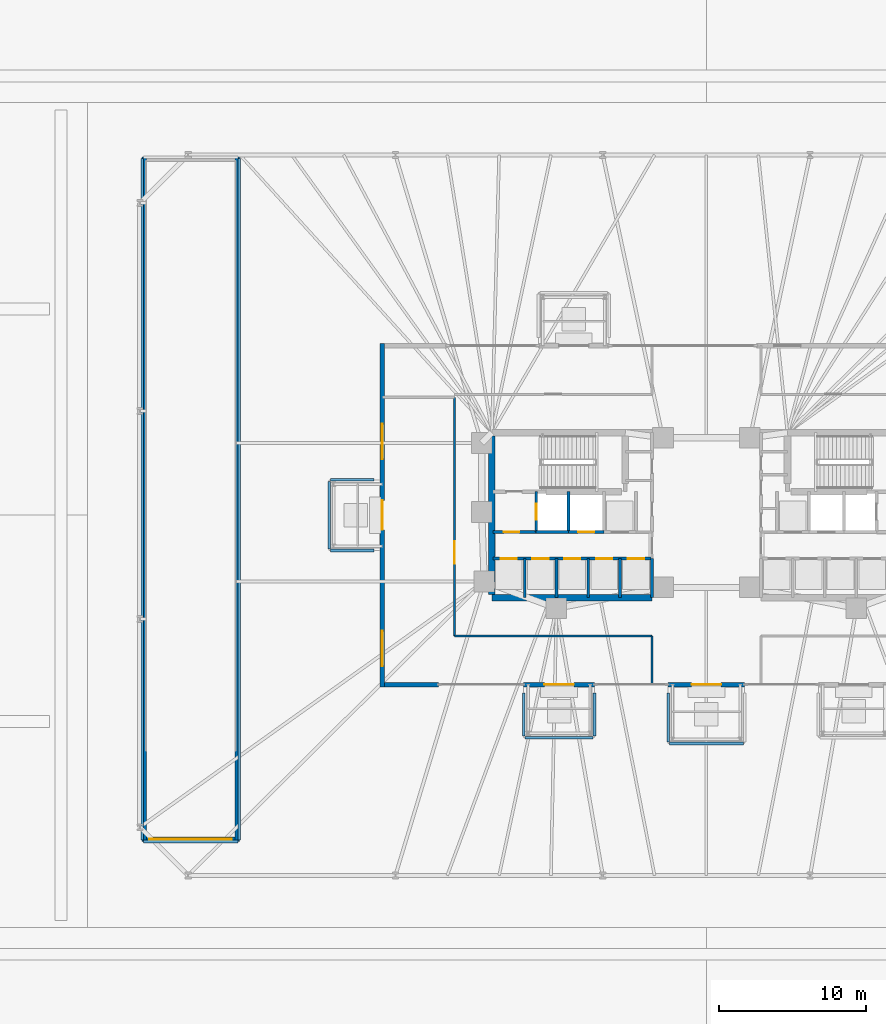
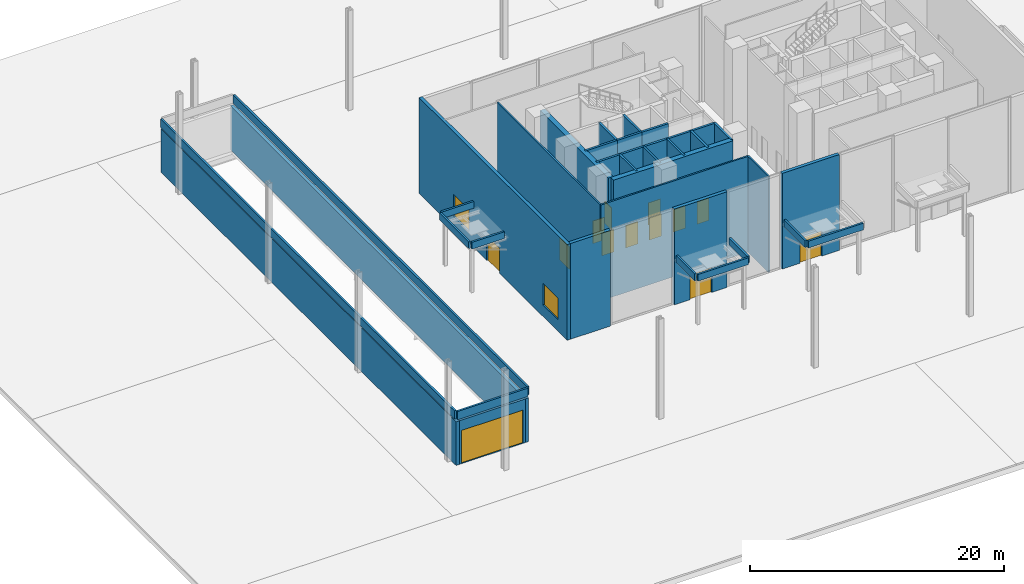
# One storey, part 18 of 24: 34 walls, 13 doors, 2 windows, 15 openings.
"""IFC4 building model written with IfcOpenShell, lengths in metres."""

from ifc_helpers import new_model, si_unit, direction, frame, frame_2d, origin, place, context, subcontext, project, spatial, rectangle, extrude, material, layer, layer_set, type_object, element, fill, save


model = new_model("IFC4")

# Units and contexts
model_context = context("Model", 3, precision=1e-05, world=origin(), true_north=direction((0.0, 1.0)))
body_context = subcontext(model_context, "Body", "Model", "MODEL_VIEW")
ifc_project = project(units=[si_unit("LENGTHUNIT", "METRE"), si_unit("AREAUNIT", "SQUARE_METRE"), si_unit("VOLUMEUNIT", "CUBIC_METRE"), si_unit("PLANEANGLEUNIT", "RADIAN"), si_unit("MASSUNIT", "GRAM", prefix="KILO")], contexts=[model_context])

# Site, building, storey
site_placement = place(None, origin())
site = spatial("IfcSite", under=ifc_project, at=site_placement, CompositionType="ELEMENT")
building_placement = place(site_placement, origin())
building = spatial("IfcBuilding", under=site, at=building_placement, Name="Menara Jurai Vektor", CompositionType="ELEMENT")
storey_placement = place(building_placement, origin())
storey = spatial("IfcBuildingStorey", under=building, at=storey_placement, Name="L00", CompositionType="ELEMENT", Elevation=0.0)

# Wall
ifc_material_1 = material(Name="Insulated Pale Aluminium Spandrel Wall", Category="aluminium")
ifc_layer_1 = layer(ifc_material_1, 0.300048828125)
ifc_layer_set_1 = layer_set([ifc_layer_1], Name="Insulated Pale Aluminium Spandrel Wall")
wall_type_1 = type_object("IfcWallType", Name="ENV-WALL-EXT300", PredefinedType="STANDARD", material=ifc_layer_set_1)
wall_1_placement = place(storey_placement, frame((-21.85009765625, -11.5, 0.0), z_axis=(0.0, 0.0, 1.0), x_axis=(1.0, 0.0, 0.0)))
element("IfcWall", 1, at=wall_1_placement, inside=storey, type_object=wall_type_1, Name="Ground Lobby External Wall S-W1", PredefinedType="STANDARD", context=body_context, shape_type="SweptSolid", body=[
    extrude(rectangle(XDim=3.650146484375, YDim=0.300048828125, at=frame_2d((1.8251953125, 0.0))), origin(), (0.0, 0.0, 1.0), 9.195068359375),
])

# Wall, opening, door
wall_2_placement = place(storey_placement, frame((-12.39990234375, -11.5, 0.0), z_axis=(0.0, 0.0, 1.0), x_axis=(1.0, 0.0, 0.0)))
wall_2 = element("IfcWall", 2, at=wall_2_placement, inside=storey, type_object=wall_type_1, Name="Ground Lobby External Wall S-E1", PredefinedType="STANDARD", context=body_context, shape_type="SweptSolid", body=[
    extrude(rectangle(XDim=4.7998046875, YDim=0.300048828125, at=frame_2d((2.39990234375, 0.0))), origin(), (0.0, 0.0, 1.0), 9.195068359375),
])
opening_1_placement = place(wall_2_placement, frame((1.39990234375, 0.0, 0.0)))
opening_1 = element("IfcOpeningElement", 3, at=opening_1_placement, cuts=wall_2, Name="Opening E1", PredefinedType="OPENING", context=body_context, shape_type="SweptSolid", body=[
    extrude(rectangle(XDim=2.0, YDim=2.39990234375, at=frame_2d((1.0, 1.199951171875))), frame((0.0, 0.16015625, 0.0), z_axis=(0.0, -1.0, 0.0), x_axis=(1.0, 0.0, 0.0)), (0.0, 0.0, 1.0), 0.320068359375),
])
ifc_material_2 = material(Name="Anodised Aluminium Double Glazed Entrance Door", Category="aluminium")
door_type_1 = type_object("IfcDoorType", Name="ENV-DOOR-ENT200", OperationType="NOTDEFINED", PredefinedType="DOOR", material=ifc_material_2)
door_1_placement = place(opening_1_placement, frame((2.0, 0.0, 0.0), z_axis=(0.0, 0.0, 1.0), x_axis=(-1.0, 0.0, 0.0)))
door_1 = element("IfcDoor", 4, at=door_1_placement, inside=storey, type_object=door_type_1, Name="Main Pedestrian Entrance Door E1", OperationType="DOUBLE_DOOR_SINGLE_SWING", OverallHeight=2.39990234375, OverallWidth=2.0, PredefinedType="DOOR", context=body_context, shape_type="SweptSolid", body=[
    extrude(rectangle(XDim=2.0, YDim=2.39990234375, at=frame_2d((1.0, 1.199951171875))), frame((0.0, 0.02490234375, 0.0), z_axis=(0.0, -1.0, 0.0), x_axis=(1.0, 0.0, 0.0)), (0.0, 0.0, 1.0), 0.050048828125),
])
fill(opening_1, door_1)

wall_3_placement = place(storey_placement, frame((-2.60009765625, -11.5, 0.0), z_axis=(0.0, 0.0, 1.0), x_axis=(1.0, 0.0, 0.0)))
wall_3 = element("IfcWall", 5, at=wall_3_placement, inside=storey, type_object=wall_type_1, Name="Ground Lobby External Wall S-E2", PredefinedType="STANDARD", context=body_context, shape_type="SweptSolid", body=[
    extrude(rectangle(XDim=5.2001953125, YDim=0.300048828125, at=frame_2d((2.60009765625, 0.0))), origin(), (0.0, 0.0, 1.0), 9.195068359375),
])
opening_2_placement = place(wall_3_placement, frame((1.60009765625, 0.0, 0.0)))
opening_2 = element("IfcOpeningElement", 6, at=opening_2_placement, cuts=wall_3, Name="Opening E2", PredefinedType="OPENING", context=body_context, shape_type="SweptSolid", body=[
    extrude(rectangle(XDim=2.0, YDim=2.39990234375, at=frame_2d((1.0, 1.199951171875))), frame((0.0, 0.16015625, 0.0), z_axis=(0.0, -1.0, 0.0), x_axis=(1.0, 0.0, 0.0)), (0.0, 0.0, 1.0), 0.320068359375),
])
door_2_placement = place(opening_2_placement, frame((2.0, 0.0, 0.0), z_axis=(0.0, 0.0, 1.0), x_axis=(-1.0, 0.0, 0.0)))
door_2 = element("IfcDoor", 7, at=door_2_placement, inside=storey, type_object=door_type_1, Name="Main Pedestrian Entrance Door E2", OperationType="DOUBLE_DOOR_SINGLE_SWING", OverallHeight=2.39990234375, OverallWidth=2.0, PredefinedType="DOOR", context=body_context, shape_type="SweptSolid", body=[
    extrude(rectangle(XDim=2.0, YDim=2.39990234375, at=frame_2d((1.0, 1.199951171875))), frame((0.0, 0.02490234375, 0.0), z_axis=(0.0, -1.0, 0.0), x_axis=(1.0, 0.0, 0.0)), (0.0, 0.0, 1.0), 0.050048828125),
])
fill(opening_2, door_2)

# Wall, openings, door, windows
wall_4_placement = place(storey_placement, frame((-22.0, -11.64990234375, 0.0), z_axis=(0.0, 0.0, 1.0), x_axis=(0.0, 1.0, 0.0)))
wall_4 = element("IfcWall", 8, at=wall_4_placement, inside=storey, type_object=wall_type_1, Name="Ground Lobby External Wall W-FULL", PredefinedType="STANDARD", context=body_context, shape_type="SweptSolid", body=[
    extrude(rectangle(XDim=23.2998046875, YDim=0.300048828125, at=frame_2d((11.64990234375, 0.0))), origin(), (0.0, 0.0, 1.0), 9.195068359375),
])
opening_3_placement = place(wall_4_placement, frame((10.64990234375, 0.0, 0.0)))
opening_3 = element("IfcOpeningElement", 9, at=opening_3_placement, cuts=wall_4, Name="Opening E5", PredefinedType="OPENING", context=body_context, shape_type="SweptSolid", body=[
    extrude(rectangle(XDim=2.0, YDim=2.39990234375, at=frame_2d((1.0, 1.199951171875))), frame((0.0, 0.16015625, 0.0), z_axis=(0.0, -1.0, 0.0), x_axis=(1.0, 0.0, 0.0)), (0.0, 0.0, 1.0), 0.320068359375),
])
opening_4_placement = place(wall_4_placement, frame((1.39990234375, 0.0, 1.10009765625)))
opening_4 = element("IfcOpeningElement", 10, at=opening_4_placement, cuts=wall_4, Name="Opening EW-24", PredefinedType="OPENING", context=body_context, shape_type="SweptSolid", body=[
    extrude(rectangle(XDim=2.39990234375, YDim=2.10009765625, at=frame_2d((1.199951171875, 1.050048828125))), frame((0.0, 0.16015625, 0.0), z_axis=(0.0, -1.0, 0.0), x_axis=(1.0, 0.0, 0.0)), (0.0, 0.0, 1.0), 0.320068359375),
])
opening_5_placement = place(wall_4_placement, frame((15.449951171875, 0.0, 1.10009765625)))
opening_5 = element("IfcOpeningElement", 11, at=opening_5_placement, cuts=wall_4, Name="Opening EW-24", PredefinedType="OPENING", context=body_context, shape_type="SweptSolid", body=[
    extrude(rectangle(XDim=2.39990234375, YDim=2.10009765625, at=frame_2d((1.199951171875, 1.050048828125))), frame((0.0, 0.16015625, 0.0), z_axis=(0.0, -1.0, 0.0), x_axis=(1.0, 0.0, 0.0)), (0.0, 0.0, 1.0), 0.320068359375),
])
door_3_placement = place(opening_3_placement, origin())
door_3 = element("IfcDoor", 12, at=door_3_placement, inside=storey, type_object=door_type_1, Name="Main Pedestrian Entrance Door E5", OperationType="DOUBLE_DOOR_SINGLE_SWING", OverallHeight=2.39990234375, OverallWidth=2.0, PredefinedType="DOOR", context=body_context, shape_type="SweptSolid", body=[
    extrude(rectangle(XDim=2.0, YDim=2.39990234375, at=frame_2d((1.0, 1.199951171875))), frame((0.0, 0.02490234375, 0.0), z_axis=(0.0, -1.0, 0.0), x_axis=(1.0, 0.0, 0.0)), (0.0, 0.0, 1.0), 0.050048828125),
])
fill(opening_3, door_3)
ifc_material_3 = material(Name="Low-E Double Glazed Pale Aluminium Window", Category="aluminium")
window_type = type_object("IfcWindowType", Name="ENV-WIN-PAV240", PartitioningType="SINGLE_PANEL", PredefinedType="WINDOW", material=ifc_material_3)
window_1_placement = place(opening_4_placement, origin())
window_1 = element("IfcWindow", 13, at=window_1_placement, inside=storey, type_object=window_type, Name="Ground Pavilion Window W02", OverallHeight=2.10009765625, OverallWidth=2.39990234375, PartitioningType="SINGLE_PANEL", PredefinedType="WINDOW", context=body_context, shape_type="SweptSolid", body=[
    extrude(rectangle(XDim=2.39990234375, YDim=2.10009765625, at=frame_2d((1.199951171875, 1.050048828125))), frame((0.0, 0.030029296875, 0.0), z_axis=(0.0, -1.0, 0.0), x_axis=(1.0, 0.0, 0.0)), (0.0, 0.0, 1.0), 0.06005859375),
])
fill(opening_4, window_1)
window_2_placement = place(opening_5_placement, origin())
window_2 = element("IfcWindow", 14, at=window_2_placement, inside=storey, type_object=window_type, Name="Ground Pavilion Window W03", OverallHeight=2.10009765625, OverallWidth=2.39990234375, PartitioningType="SINGLE_PANEL", PredefinedType="WINDOW", context=body_context, shape_type="SweptSolid", body=[
    extrude(rectangle(XDim=2.39990234375, YDim=2.10009765625, at=frame_2d((1.199951171875, 1.050048828125))), frame((0.0, 0.030029296875, 0.0), z_axis=(0.0, -1.0, 0.0), x_axis=(1.0, 0.0, 0.0)), (0.0, 0.0, 1.0), 0.06005859375),
])
fill(opening_5, window_2)

# Walls
for number, where, z_axis, x_axis, name in (
    (15, (-38.14990234375, -22.14990234375, 0.0), (0.0, 0.0, 1.0), (0.0, 1.0, 0.0), "Vehicle Ramp Headhouse Wall RP-W"),
    (16, (-31.85009765625, -22.14990234375, 0.0), (0.0, 0.0, 1.0), (0.0, 1.0, 0.0), "Vehicle Ramp Headhouse Wall RP-E"),
):
    element("IfcWall", number, at=place(storey_placement, frame(where, z_axis=z_axis, x_axis=x_axis)), inside=storey, type_object=wall_type_1, Name=name, PredefinedType="STANDARD", context=body_context, shape_type="SweptSolid", body=[
        extrude(rectangle(XDim=46.449951171875, YDim=0.300048828125, at=frame_2d((23.22509765625, 0.0))), origin(), (0.0, 0.0, 1.0), 4.199951171875),
    ])

# Wall, opening, door
wall_5_placement = place(storey_placement, frame((-38.0, -22.0, 0.0), z_axis=(0.0, 0.0, 1.0), x_axis=(1.0, 0.0, 0.0)))
wall_5 = element("IfcWall", 17, at=wall_5_placement, inside=storey, type_object=wall_type_1, Name="Vehicle Ramp Headhouse Wall RP-S", PredefinedType="STANDARD", context=body_context, shape_type="SweptSolid", body=[
    extrude(rectangle(XDim=6.0, YDim=0.300048828125, at=frame_2d((3.0, 0.0))), origin(), (0.0, 0.0, 1.0), 4.199951171875),
])
opening_6_placement = place(wall_5_placement, frame((0.199951171875, 0.0, 0.0)))
opening_6 = element("IfcOpeningElement", 18, at=opening_6_placement, cuts=wall_5, Name="Opening RS-01", PredefinedType="OPENING", context=body_context, shape_type="SweptSolid", body=[
    extrude(rectangle(XDim=5.60009765625, YDim=3.199951171875, at=frame_2d((2.800048828125, 1.60009765625))), frame((0.0, 0.16015625, 0.0), z_axis=(0.0, -1.0, 0.0), x_axis=(1.0, 0.0, 0.0)), (0.0, 0.0, 1.0), 0.320068359375),
])
ifc_material_4 = material(Name="Galvanised Pale Steel Insulated Roller Shutter", Category="steel")
door_type_2 = type_object("IfcDoorType", Name="ENV-DOOR-RAMP560", OperationType="NOTDEFINED", PredefinedType="GATE", material=ifc_material_4)
door_4_placement = place(opening_6_placement, frame((5.60009765625, 0.0, 0.0), z_axis=(0.0, 0.0, 1.0), x_axis=(-1.0, 0.0, 0.0)))
door_4 = element("IfcDoor", 19, at=door_4_placement, inside=storey, type_object=door_type_2, Name="Vehicle Ramp Roller Shutter RS-01", OperationType="ROLLINGUP", OverallHeight=3.199951171875, OverallWidth=5.60009765625, PredefinedType="GATE", context=body_context, shape_type="SweptSolid", body=[
    extrude(rectangle(XDim=5.60009765625, YDim=3.199951171875, at=frame_2d((2.800048828125, 1.60009765625))), frame((0.0, 0.02490234375, 0.0), z_axis=(0.0, -1.0, 0.0), x_axis=(1.0, 0.0, 0.0)), (0.0, 0.0, 1.0), 0.050048828125),
])
fill(opening_6, door_4)

# Walls
ifc_material_5 = material(Name="Concrete C40/50", Category="concrete")
ifc_layer_2 = layer(ifc_material_5, 0.179931640625)
ifc_layer_set_2 = layer_set([ifc_layer_2], Name="Concrete C40/50")
wall_type_2 = type_object("IfcWallType", Name="ENV-WALL-PARAPET180", PredefinedType="PARAPET", material=ifc_layer_set_2)
for number, where, z_axis, x_axis, name in (
    (20, (-7.60009765625, -15.0009765625, 4.3798828125), (0.0, 0.0, 1.0), (0.0, 1.0, 0.0), "Roof Parapet Wall L00-CAN-E1-01"),
    (21, (-12.39990234375, -12.069091796875, 4.3798828125), (0.0, 0.0, 1.0), (0.0, -1.0, 0.0), "Roof Parapet Wall L00-CAN-E1-03"),
):
    element("IfcWall", number, at=place(storey_placement, frame(where, z_axis=z_axis, x_axis=x_axis)), inside=storey, type_object=wall_type_2, Name=name, PredefinedType="PARAPET", context=body_context, shape_type="SweptSolid", body=[
        extrude(rectangle(XDim=2.931884765625, YDim=0.179931640625, at=frame_2d((1.4658203125, 0.0))), origin(), (0.0, 0.0, 1.0), 0.650146484375),
    ])
wall_6_placement = place(storey_placement, frame((-12.301025390625, -15.10009765625, 4.3798828125), z_axis=(0.0, 0.0, 1.0), x_axis=(1.0, 0.0, 0.0)))
element("IfcWall", 22, at=wall_6_placement, inside=storey, type_object=wall_type_2, Name="Roof Parapet Wall L00-CAN-E1-04", PredefinedType="PARAPET", context=body_context, shape_type="SweptSolid", body=[
    extrude(rectangle(XDim=4.60205078125, YDim=0.179931640625, at=frame_2d((2.301025390625, 0.0))), origin(), (0.0, 0.0, 1.0), 0.650146484375),
])
wall_7_placement = place(storey_placement, frame((-2.60009765625, -12.069091796875, 4.3798828125), z_axis=(0.0, 0.0, 1.0), x_axis=(0.0, -1.0, 0.0)))
element("IfcWall", 23, at=wall_7_placement, inside=storey, type_object=wall_type_2, Name="Roof Parapet Wall L00-CAN-E2-03", PredefinedType="PARAPET", context=body_context, shape_type="SweptSolid", body=[
    extrude(rectangle(XDim=3.331787109375, YDim=0.179931640625, at=frame_2d((1.666015625, 0.0))), origin(), (0.0, 0.0, 1.0), 0.650146484375),
])
wall_8_placement = place(storey_placement, frame((-2.5009765625, -15.5, 4.3798828125), z_axis=(0.0, 0.0, 1.0), x_axis=(1.0, 0.0, 0.0)))
element("IfcWall", 24, at=wall_8_placement, inside=storey, type_object=wall_type_2, Name="Roof Parapet Wall L00-CAN-E2-04", PredefinedType="PARAPET", context=body_context, shape_type="SweptSolid", body=[
    extrude(rectangle(XDim=5.001953125, YDim=0.179931640625, at=frame_2d((2.5009765625, 0.0))), origin(), (0.0, 0.0, 1.0), 0.650146484375),
])
wall_9_placement = place(storey_placement, frame((-22.569091796875, 2.39990234375, 4.3798828125), z_axis=(0.0, 0.0, 1.0), x_axis=(-1.0, 0.0, 0.0)))
element("IfcWall", 25, at=wall_9_placement, inside=storey, type_object=wall_type_2, Name="Roof Parapet Wall L00-CAN-E5-02", PredefinedType="PARAPET", context=body_context, shape_type="SweptSolid", body=[
    extrude(rectangle(XDim=2.931884765625, YDim=0.179931640625, at=frame_2d((1.4658203125, 0.0))), origin(), (0.0, 0.0, 1.0), 0.650146484375),
])
wall_10_placement = place(storey_placement, frame((-25.60009765625, 2.301025390625, 4.3798828125), z_axis=(0.0, 0.0, 1.0), x_axis=(0.0, -1.0, 0.0)))
element("IfcWall", 26, at=wall_10_placement, inside=storey, type_object=wall_type_2, Name="Roof Parapet Wall L00-CAN-E5-03", PredefinedType="PARAPET", context=body_context, shape_type="SweptSolid", body=[
    extrude(rectangle(XDim=4.60205078125, YDim=0.179931640625, at=frame_2d((2.301025390625, 0.0))), origin(), (0.0, 0.0, 1.0), 0.650146484375),
])
wall_11_placement = place(storey_placement, frame((-25.5009765625, -2.39990234375, 4.3798828125), z_axis=(0.0, 0.0, 1.0), x_axis=(1.0, 0.0, 0.0)))
element("IfcWall", 27, at=wall_11_placement, inside=storey, type_object=wall_type_2, Name="Roof Parapet Wall L00-CAN-E5-04", PredefinedType="PARAPET", context=body_context, shape_type="SweptSolid", body=[
    extrude(rectangle(XDim=2.931884765625, YDim=0.179931640625, at=frame_2d((1.4658203125, 0.0))), origin(), (0.0, 0.0, 1.0), 0.650146484375),
])
for number, where, z_axis, x_axis, name in (
    (28, (-31.699951171875, -22.051025390625, 4.419921875), (0.0, 0.0, 1.0), (0.0, 1.0, 0.0), "Roof Parapet Wall L00-RAMP-01"),
    (29, (-38.300048828125, 24.200927734375, 4.419921875), (0.0, 0.0, 1.0), (0.0, -1.0, 0.0), "Roof Parapet Wall L00-RAMP-03"),
):
    element("IfcWall", number, at=place(storey_placement, frame(where, z_axis=z_axis, x_axis=x_axis)), inside=storey, type_object=wall_type_2, Name=name, PredefinedType="PARAPET", context=body_context, shape_type="SweptSolid", body=[
        extrude(rectangle(XDim=46.251953125, YDim=0.179931640625, at=frame_2d((23.1259765625, 0.0))), origin(), (0.0, 0.0, 1.0), 0.800048828125),
    ])
wall_12_placement = place(storey_placement, frame((-38.200927734375, -22.14990234375, 4.419921875), z_axis=(0.0, 0.0, 1.0), x_axis=(1.0, 0.0, 0.0)))
element("IfcWall", 30, at=wall_12_placement, inside=storey, type_object=wall_type_2, Name="Roof Parapet Wall L00-RAMP-04", PredefinedType="PARAPET", context=body_context, shape_type="SweptSolid", body=[
    extrude(rectangle(XDim=6.40185546875, YDim=0.179931640625, at=frame_2d((3.200927734375, 0.0))), origin(), (0.0, 0.0, 1.0), 0.800048828125),
])

# Wall, opening, door
ifc_layer_3 = layer(ifc_material_5, 0.25)
ifc_layer_set_3 = layer_set([ifc_layer_3], Name="Concrete C40/50")
wall_type_3 = type_object("IfcWallType", Name="INT-WALL-CORE-250", PredefinedType="STANDARD", material=ifc_layer_set_3)
wall_13_placement = place(storey_placement, frame((-11.550048828125, -1.14990234375, 0.0), z_axis=(0.0, 0.0, 1.0), x_axis=(0.0, 1.0, 0.0)))
wall_13 = element("IfcWall", 31, at=wall_13_placement, inside=storey, type_object=wall_type_3, Name="Interior Wall IW-250 L00", PredefinedType="STANDARD", context=body_context, shape_type="SweptSolid", body=[
    extrude(rectangle(XDim=2.75, YDim=0.199951171875, at=frame_2d((1.375, 0.0))), origin(), (0.0, 0.0, 1.0), 9.199951171875),
])
opening_7_placement = place(wall_13_placement, frame((0.824951171875, 0.0, 0.0)))
opening_7 = element("IfcOpeningElement", 32, at=opening_7_placement, cuts=wall_13, Name="Opening LD-L00-FL1", PredefinedType="OPENING", context=body_context, shape_type="SweptSolid", body=[
    extrude(rectangle(XDim=1.10009765625, YDim=2.14990234375, at=frame_2d((0.550048828125, 1.074951171875))), frame((0.0, 0.10986328125, 0.0), z_axis=(0.0, -1.0, 0.0), x_axis=(1.0, 0.0, 0.0)), (0.0, 0.0, 1.0), 0.219970703125),
])
ifc_material_6 = material(Name="Stainless Steel Sliding Lift Landing Door", Category="steel")
door_type_3 = type_object("IfcDoorType", Name="DR-LIFT-FIRE-1100", OperationType="NOTDEFINED", PredefinedType="DOOR", material=ifc_material_6)
door_5_placement = place(opening_7_placement, origin())
door_5 = element("IfcDoor", 33, at=door_5_placement, inside=storey, type_object=door_type_3, Name="Lift Landing Door FL1 L00", OperationType="SLIDING_TO_RIGHT", OverallHeight=2.14990234375, OverallWidth=1.10009765625, PredefinedType="DOOR", context=body_context, shape_type="SweptSolid", body=[
    extrude(rectangle(XDim=1.10009765625, YDim=2.14990234375, at=frame_2d((0.550048828125, 1.074951171875))), frame((0.0, 0.02490234375, 0.0), z_axis=(0.0, -1.0, 0.0), x_axis=(1.0, 0.0, 0.0)), (0.0, 0.0, 1.0), 0.050048828125),
])
fill(opening_7, door_5)

# Wall
wall_14_placement = place(storey_placement, frame((-9.35009765625, -1.14990234375, 0.0), z_axis=(0.0, 0.0, 1.0), x_axis=(0.0, 1.0, 0.0)))
element("IfcWall", 34, at=wall_14_placement, inside=storey, type_object=wall_type_3, Name="Interior Wall IW-250 L00", PredefinedType="STANDARD", context=body_context, shape_type="SweptSolid", body=[
    extrude(rectangle(XDim=2.75, YDim=0.199951171875, at=frame_2d((1.375, 0.0))), origin(), (0.0, 0.0, 1.0), 9.199951171875),
])

# Wall, opening, door
wall_15_placement = place(storey_placement, frame((-14.5, -1.14990234375, 0.0), z_axis=(0.0, 0.0, 1.0), x_axis=(1.0, 0.0, 0.0)))
wall_15 = element("IfcWall", 35, at=wall_15_placement, inside=storey, type_object=wall_type_3, Name="Interior Wall IW-250 L00", PredefinedType="STANDARD", context=body_context, shape_type="SweptSolid", body=[
    extrude(rectangle(XDim=2.949951171875, YDim=0.199951171875, at=frame_2d((1.47509765625, 0.0))), origin(), (0.0, 0.0, 1.0), 9.199951171875),
])
opening_8_placement = place(wall_15_placement, frame((0.75, 0.0, 0.0)))
opening_8 = element("IfcOpeningElement", 36, at=opening_8_placement, cuts=wall_15, Name="Opening D-L00-FFW", PredefinedType="OPENING", context=body_context, shape_type="SweptSolid", body=[
    extrude(rectangle(XDim=1.050048828125, YDim=2.179931640625, at=frame_2d((0.52490234375, 1.08984375))), frame((0.0, 0.10986328125, 0.0), z_axis=(0.0, -1.0, 0.0), x_axis=(1.0, 0.0, 0.0)), (0.0, 0.0, 1.0), 0.219970703125),
])
ifc_material_7 = material(Name="Fire-Rated Timber Door", Category="wood")
door_type_4 = type_object("IfcDoorType", Name="DR-LOBBY-1050", OperationType="NOTDEFINED", PredefinedType="DOOR", material=ifc_material_7)
door_6_placement = place(opening_8_placement, frame((1.050048828125, 0.0, 0.0), z_axis=(0.0, 0.0, 1.0), x_axis=(-1.0, 0.0, 0.0)))
door_6 = element("IfcDoor", 37, at=door_6_placement, inside=storey, type_object=door_type_4, Name="Fire Lift Lobby Door W L00", OperationType="SINGLE_SWING_RIGHT", OverallHeight=2.179931640625, OverallWidth=1.050048828125, PredefinedType="DOOR", context=body_context, shape_type="SweptSolid", body=[
    extrude(rectangle(XDim=1.050048828125, YDim=2.179931640625, at=frame_2d((0.52490234375, 1.08984375))), frame((0.0, 0.02490234375, 0.0), z_axis=(0.0, -1.0, 0.0), x_axis=(1.0, 0.0, 0.0)), (0.0, 0.0, 1.0), 0.050048828125),
])
fill(opening_8, door_6)

# Wall
wall_16_placement = place(storey_placement, frame((-11.550048828125, -1.14990234375, 0.0), z_axis=(0.0, 0.0, 1.0), x_axis=(1.0, 0.0, 0.0)))
element("IfcWall", 38, at=wall_16_placement, inside=storey, type_object=wall_type_3, Name="Interior Wall IW-250 L00", PredefinedType="STANDARD", context=body_context, shape_type="SweptSolid", body=[
    extrude(rectangle(XDim=2.199951171875, YDim=0.199951171875, at=frame_2d((1.10009765625, 0.0))), origin(), (0.0, 0.0, 1.0), 9.199951171875),
])

# Wall, opening, door
ifc_material_8 = material(Name="Gypsum Fireboard Partition", Category="gypsum")
ifc_layer_4 = layer(ifc_material_8, 0.14990234375)
ifc_layer_set_4 = layer_set([ifc_layer_4], Name="Gypsum Fireboard Partition")
wall_type_4 = type_object("IfcWallType", Name="INT-WALL-CORR-150", PredefinedType="PARTITIONING", material=ifc_layer_set_4)
wall_17_placement = place(storey_placement, frame((-17.10009765625, -8.199951171875, 0.0), z_axis=(0.0, 0.0, 1.0), x_axis=(0.0, 1.0, 0.0)))
wall_17 = element("IfcWall", 39, at=wall_17_placement, inside=storey, type_object=wall_type_4, Name="Interior Wall IW-150 L00", PredefinedType="PARTITIONING", context=body_context, shape_type="SweptSolid", body=[
    extrude(rectangle(XDim=16.199951171875, YDim=0.14990234375, at=frame_2d((8.10009765625, 0.0))), origin(), (0.0, 0.0, 1.0), 9.199951171875),
])
opening_9_placement = place(wall_17_placement, frame((4.919921875, 0.0, 0.0)))
opening_9 = element("IfcOpeningElement", 40, at=opening_9_placement, cuts=wall_17, Name="Opening D00-09", PredefinedType="OPENING", context=body_context, shape_type="SweptSolid", body=[
    extrude(rectangle(XDim=1.5, YDim=2.14990234375, at=frame_2d((0.75, 1.074951171875))), frame((0.0, 0.0849609375, 0.0), z_axis=(0.0, -1.0, 0.0), x_axis=(1.0, 0.0, 0.0)), (0.0, 0.0, 1.0), 0.169921875),
])
ifc_material_9 = material(Name="Solid Core Timber Fire Door", Category="wood")
door_type_5 = type_object("IfcDoorType", Name="DR-ENTRY-950", OperationType="NOTDEFINED", PredefinedType="DOOR", material=ifc_material_9)
door_7_placement = place(opening_9_placement, origin())
door_7 = element("IfcDoor", 41, at=door_7_placement, inside=storey, type_object=door_type_5, Name="Interior Door D00-09", OperationType="DOUBLE_DOOR_SINGLE_SWING", OverallHeight=2.14990234375, OverallWidth=1.5, PredefinedType="DOOR", context=body_context, shape_type="SweptSolid", body=[
    extrude(rectangle(XDim=1.5, YDim=2.14990234375, at=frame_2d((0.75, 1.074951171875))), frame((0.0, 0.02490234375, 0.0), z_axis=(0.0, -1.0, 0.0), x_axis=(1.0, 0.0, 0.0)), (0.0, 0.0, 1.0), 0.050048828125),
])
fill(opening_9, door_7)

# Walls
wall_18_placement = place(storey_placement, frame((-17.10009765625, -8.199951171875, 0.0), z_axis=(0.0, 0.0, 1.0), x_axis=(1.0, 0.0, 0.0)))
element("IfcWall", 42, at=wall_18_placement, inside=storey, type_object=wall_type_4, Name="Interior Wall IW-150 L00", PredefinedType="PARTITIONING", context=body_context, shape_type="SweptSolid", body=[
    extrude(rectangle(XDim=13.400146484375, YDim=0.14990234375, at=frame_2d((6.7001953125, 0.0))), origin(), (0.0, 0.0, 1.0), 9.199951171875),
])
wall_19_placement = place(storey_placement, frame((-3.699951171875, -11.5, 0.0), z_axis=(0.0, 0.0, 1.0), x_axis=(0.0, 1.0, 0.0)))
element("IfcWall", 43, at=wall_19_placement, inside=storey, type_object=wall_type_4, Name="Interior Wall IW-150 L00", PredefinedType="PARTITIONING", context=body_context, shape_type="SweptSolid", body=[
    extrude(rectangle(XDim=3.300048828125, YDim=0.14990234375, at=frame_2d((1.64990234375, 0.0))), origin(), (0.0, 0.0, 1.0), 9.199951171875),
])
ifc_layer_5 = layer(ifc_material_5, 0.199951171875)
ifc_layer_set_5 = layer_set([ifc_layer_5], Name="Concrete C40/50")
wall_type_5 = type_object("IfcWallType", Name="INT-WALL-SHAFT-200", PredefinedType="STANDARD", material=ifc_layer_set_5)
wall_20_placement = place(storey_placement, frame((-3.699951171875, -5.60009765625, 0.0), z_axis=(0.0, 0.0, 1.0), x_axis=(0.0, 1.0, 0.0)))
element("IfcWall", 44, at=wall_20_placement, inside=storey, type_object=wall_type_5, Name="Interior Wall IW-200 L00", PredefinedType="STANDARD", context=body_context, shape_type="SweptSolid", body=[
    extrude(rectangle(XDim=2.650146484375, YDim=0.199951171875, at=frame_2d((1.3251953125, 0.0))), origin(), (0.0, 0.0, 1.0), 9.199951171875),
])

# Wall, opening, door
wall_21_placement = place(storey_placement, frame((-9.35009765625, -1.14990234375, 0.0), z_axis=(0.0, 0.0, 1.0), x_axis=(1.0, 0.0, 0.0)))
wall_21 = element("IfcWall", 45, at=wall_21_placement, inside=storey, type_object=wall_type_5, Name="Interior Wall IW-200 L00", PredefinedType="STANDARD", context=body_context, shape_type="SweptSolid", body=[
    extrude(rectangle(XDim=2.400146484375, YDim=0.199951171875, at=frame_2d((1.2001953125, 0.0))), origin(), (0.0, 0.0, 1.0), 9.199951171875),
])
opening_10_placement = place(wall_21_placement, frame((0.64990234375, 0.0, 0.0)))
opening_10 = element("IfcOpeningElement", 46, at=opening_10_placement, cuts=wall_21, Name="Opening LD-L00-SVL1", PredefinedType="OPENING", context=body_context, shape_type="SweptSolid", body=[
    extrude(rectangle(XDim=1.10009765625, YDim=2.14990234375, at=frame_2d((0.550048828125, 1.074951171875))), frame((0.0, 0.10986328125, 0.0), z_axis=(0.0, -1.0, 0.0), x_axis=(1.0, 0.0, 0.0)), (0.0, 0.0, 1.0), 0.219970703125),
])
ifc_material_10 = material(Name="Anodised Stainless Sliding Lift Landing Door", Category="steel")
door_type_6 = type_object("IfcDoorType", Name="DR-LIFT-PASS-1100", OperationType="NOTDEFINED", PredefinedType="DOOR", material=ifc_material_10)
door_8_placement = place(opening_10_placement, origin())
door_8 = element("IfcDoor", 47, at=door_8_placement, inside=storey, type_object=door_type_6, Name="Lift Landing Door SVL1 L00", OperationType="SLIDING_TO_RIGHT", OverallHeight=2.14990234375, OverallWidth=1.10009765625, PredefinedType="DOOR", context=body_context, shape_type="SweptSolid", body=[
    extrude(rectangle(XDim=1.10009765625, YDim=2.14990234375, at=frame_2d((0.550048828125, 1.074951171875))), frame((0.0, 0.02490234375, 0.0), z_axis=(0.0, -1.0, 0.0), x_axis=(1.0, 0.0, 0.0)), (0.0, 0.0, 1.0), 0.050048828125),
])
fill(opening_10, door_8)

# Wall, openings, doors
wall_22_placement = place(storey_placement, frame((-14.5, -2.949951171875, 0.0), z_axis=(0.0, 0.0, 1.0), x_axis=(1.0, 0.0, 0.0)))
wall_22 = element("IfcWall", 48, at=wall_22_placement, inside=storey, type_object=wall_type_5, Name="Interior Wall IW-200 L00", PredefinedType="STANDARD", context=body_context, shape_type="SweptSolid", body=[
    extrude(rectangle(XDim=10.800048828125, YDim=0.199951171875, at=frame_2d((5.39990234375, 0.0))), origin(), (0.0, 0.0, 1.0), 9.199951171875),
])
opening_11_placement = place(wall_22_placement, frame((0.530029296875, 0.0, 0.0)))
opening_11 = element("IfcOpeningElement", 49, at=opening_11_placement, cuts=wall_22, Name="Opening LD-L00-PL1", PredefinedType="OPENING", context=body_context, shape_type="SweptSolid", body=[
    extrude(rectangle(XDim=1.10009765625, YDim=2.14990234375, at=frame_2d((0.550048828125, 1.074951171875))), frame((0.0, 0.10986328125, 0.0), z_axis=(0.0, -1.0, 0.0), x_axis=(1.0, 0.0, 0.0)), (0.0, 0.0, 1.0), 0.219970703125),
])
opening_12_placement = place(wall_22_placement, frame((2.68994140625, 0.0, 0.0)))
opening_12 = element("IfcOpeningElement", 50, at=opening_12_placement, cuts=wall_22, Name="Opening LD-L00-PL2", PredefinedType="OPENING", context=body_context, shape_type="SweptSolid", body=[
    extrude(rectangle(XDim=1.10009765625, YDim=2.14990234375, at=frame_2d((0.550048828125, 1.074951171875))), frame((0.0, 0.10986328125, 0.0), z_axis=(0.0, -1.0, 0.0), x_axis=(1.0, 0.0, 0.0)), (0.0, 0.0, 1.0), 0.219970703125),
])
opening_13_placement = place(wall_22_placement, frame((4.85009765625, 0.0, 0.0)))
opening_13 = element("IfcOpeningElement", 51, at=opening_13_placement, cuts=wall_22, Name="Opening LD-L00-PM1", PredefinedType="OPENING", context=body_context, shape_type="SweptSolid", body=[
    extrude(rectangle(XDim=1.10009765625, YDim=2.14990234375, at=frame_2d((0.550048828125, 1.074951171875))), frame((0.0, 0.10986328125, 0.0), z_axis=(0.0, -1.0, 0.0), x_axis=(1.0, 0.0, 0.0)), (0.0, 0.0, 1.0), 0.219970703125),
])
opening_14_placement = place(wall_22_placement, frame((7.010009765625, 0.0, 0.0)))
opening_14 = element("IfcOpeningElement", 52, at=opening_14_placement, cuts=wall_22, Name="Opening LD-L00-PM2", PredefinedType="OPENING", context=body_context, shape_type="SweptSolid", body=[
    extrude(rectangle(XDim=1.10009765625, YDim=2.14990234375, at=frame_2d((0.550048828125, 1.074951171875))), frame((0.0, 0.10986328125, 0.0), z_axis=(0.0, -1.0, 0.0), x_axis=(1.0, 0.0, 0.0)), (0.0, 0.0, 1.0), 0.219970703125),
])
opening_15_placement = place(wall_22_placement, frame((9.169921875, 0.0, 0.0)))
opening_15 = element("IfcOpeningElement", 53, at=opening_15_placement, cuts=wall_22, Name="Opening LD-L00-PH1", PredefinedType="OPENING", context=body_context, shape_type="SweptSolid", body=[
    extrude(rectangle(XDim=1.10009765625, YDim=2.14990234375, at=frame_2d((0.550048828125, 1.074951171875))), frame((0.0, 0.10986328125, 0.0), z_axis=(0.0, -1.0, 0.0), x_axis=(1.0, 0.0, 0.0)), (0.0, 0.0, 1.0), 0.219970703125),
])
door_9_placement = place(opening_11_placement, origin())
door_9 = element("IfcDoor", 54, at=door_9_placement, inside=storey, type_object=door_type_6, Name="Lift Landing Door PL1 L00", OperationType="SLIDING_TO_RIGHT", OverallHeight=2.14990234375, OverallWidth=1.10009765625, PredefinedType="DOOR", context=body_context, shape_type="SweptSolid", body=[
    extrude(rectangle(XDim=1.10009765625, YDim=2.14990234375, at=frame_2d((0.550048828125, 1.074951171875))), frame((0.0, 0.02490234375, 0.0), z_axis=(0.0, -1.0, 0.0), x_axis=(1.0, 0.0, 0.0)), (0.0, 0.0, 1.0), 0.050048828125),
])
fill(opening_11, door_9)
door_10_placement = place(opening_12_placement, origin())
door_10 = element("IfcDoor", 55, at=door_10_placement, inside=storey, type_object=door_type_6, Name="Lift Landing Door PL2 L00", OperationType="SLIDING_TO_RIGHT", OverallHeight=2.14990234375, OverallWidth=1.10009765625, PredefinedType="DOOR", context=body_context, shape_type="SweptSolid", body=[
    extrude(rectangle(XDim=1.10009765625, YDim=2.14990234375, at=frame_2d((0.550048828125, 1.074951171875))), frame((0.0, 0.02490234375, 0.0), z_axis=(0.0, -1.0, 0.0), x_axis=(1.0, 0.0, 0.0)), (0.0, 0.0, 1.0), 0.050048828125),
])
fill(opening_12, door_10)
door_11_placement = place(opening_13_placement, origin())
door_11 = element("IfcDoor", 56, at=door_11_placement, inside=storey, type_object=door_type_6, Name="Lift Landing Door PM1 L00", OperationType="SLIDING_TO_LEFT", OverallHeight=2.14990234375, OverallWidth=1.10009765625, PredefinedType="DOOR", context=body_context, shape_type="SweptSolid", body=[
    extrude(rectangle(XDim=1.10009765625, YDim=2.14990234375, at=frame_2d((0.550048828125, 1.074951171875))), frame((0.0, 0.02490234375, 0.0), z_axis=(0.0, -1.0, 0.0), x_axis=(1.0, 0.0, 0.0)), (0.0, 0.0, 1.0), 0.050048828125),
])
fill(opening_13, door_11)
door_12_placement = place(opening_14_placement, origin())
door_12 = element("IfcDoor", 57, at=door_12_placement, inside=storey, type_object=door_type_6, Name="Lift Landing Door PM2 L00", OperationType="SLIDING_TO_LEFT", OverallHeight=2.14990234375, OverallWidth=1.10009765625, PredefinedType="DOOR", context=body_context, shape_type="SweptSolid", body=[
    extrude(rectangle(XDim=1.10009765625, YDim=2.14990234375, at=frame_2d((0.550048828125, 1.074951171875))), frame((0.0, 0.02490234375, 0.0), z_axis=(0.0, -1.0, 0.0), x_axis=(1.0, 0.0, 0.0)), (0.0, 0.0, 1.0), 0.050048828125),
])
fill(opening_14, door_12)
door_13_placement = place(opening_15_placement, origin())
door_13 = element("IfcDoor", 58, at=door_13_placement, inside=storey, type_object=door_type_6, Name="Lift Landing Door PH1 L00", OperationType="SLIDING_TO_RIGHT", OverallHeight=2.14990234375, OverallWidth=1.10009765625, PredefinedType="DOOR", context=body_context, shape_type="SweptSolid", body=[
    extrude(rectangle(XDim=1.10009765625, YDim=2.14990234375, at=frame_2d((0.550048828125, 1.074951171875))), frame((0.0, 0.02490234375, 0.0), z_axis=(0.0, -1.0, 0.0), x_axis=(1.0, 0.0, 0.0)), (0.0, 0.0, 1.0), 0.050048828125),
])
fill(opening_15, door_13)

# Walls
wall_23_placement = place(storey_placement, frame((-5.860107421875, -5.60009765625, 0.0), z_axis=(0.0, 0.0, 1.0), x_axis=(0.0, 1.0, 0.0)))
element("IfcWall", 59, at=wall_23_placement, inside=storey, type_object=wall_type_5, Name="Interior Wall IW-200 L00", PredefinedType="STANDARD", context=body_context, shape_type="SweptSolid", body=[
    extrude(rectangle(XDim=2.650146484375, YDim=0.199951171875, at=frame_2d((1.3251953125, 0.0))), origin(), (0.0, 0.0, 1.0), 9.199951171875),
])
for number, where, z_axis, x_axis, name in (
    (60, (-12.340087890625, -5.60009765625, 0.0), (0.0, 0.0, 1.0), (0.0, 1.0, 0.0), "Interior Wall IW-200 L00"),
    (61, (-10.179931640625, -5.60009765625, 0.0), (0.0, 0.0, 1.0), (0.0, 1.0, 0.0), "Interior Wall IW-200 L00"),
    (62, (-8.02001953125, -5.60009765625, 0.0), (0.0, 0.0, 1.0), (0.0, 1.0, 0.0), "Interior Wall IW-200 L00"),
):
    element("IfcWall", number, at=place(storey_placement, frame(where, z_axis=z_axis, x_axis=x_axis)), inside=storey, type_object=wall_type_5, Name=name, PredefinedType="STANDARD", context=body_context, shape_type="SweptSolid", body=[
        extrude(rectangle(XDim=2.650146484375, YDim=0.179931640625, at=frame_2d((1.3251953125, 0.0))), origin(), (0.0, 0.0, 1.0), 9.199951171875),
    ])
ifc_material_11 = material(Name="Concrete C60/75", Category="concrete")
ifc_layer_6 = layer(ifc_material_11, 0.449951171875)
ifc_layer_set_6 = layer_set([ifc_layer_6], Name="Concrete C60/75")
wall_type_6 = type_object("IfcWallType", Name="STR-WALL-CORE450", PredefinedType="SHEAR", material=ifc_layer_set_6)
wall_24_placement = place(storey_placement, frame((-14.56005859375, -5.60009765625, 0.0), z_axis=(0.0, 0.0, 1.0), x_axis=(1.0, 0.0, 0.0)))
element("IfcWall", 63, at=wall_24_placement, inside=storey, type_object=wall_type_6, Name="Core Shear Wall CW-W-S L00", PredefinedType="SHEAR", context=body_context, shape_type="SweptSolid", body=[
    extrude(rectangle(XDim=10.860107421875, YDim=0.449951171875, at=frame_2d((5.43017578125, 0.0))), origin(), (0.0, 0.0, 1.0), 9.199951171875),
])
wall_25_placement = place(storey_placement, frame((-14.56005859375, -5.375, 0.0), z_axis=(0.0, 0.0, 1.0), x_axis=(0.0, 1.0, 0.0)))
element("IfcWall", 64, at=wall_25_placement, inside=storey, type_object=wall_type_6, Name="Core Shear Wall CW-W-W L00", PredefinedType="SHEAR", context=body_context, shape_type="SweptSolid", body=[
    extrude(rectangle(XDim=10.75, YDim=0.449951171875, at=frame_2d((5.375, 0.0))), origin(), (0.0, 0.0, 1.0), 9.199951171875),
])

save(model, "model.ifc")
